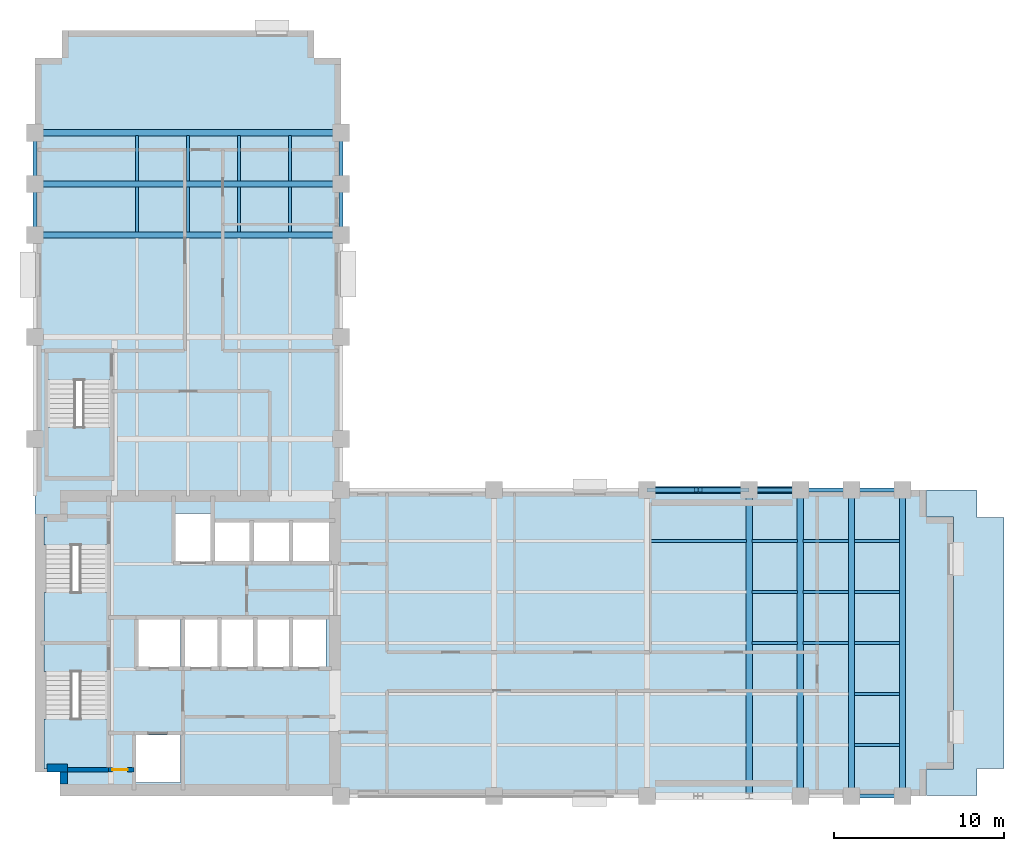
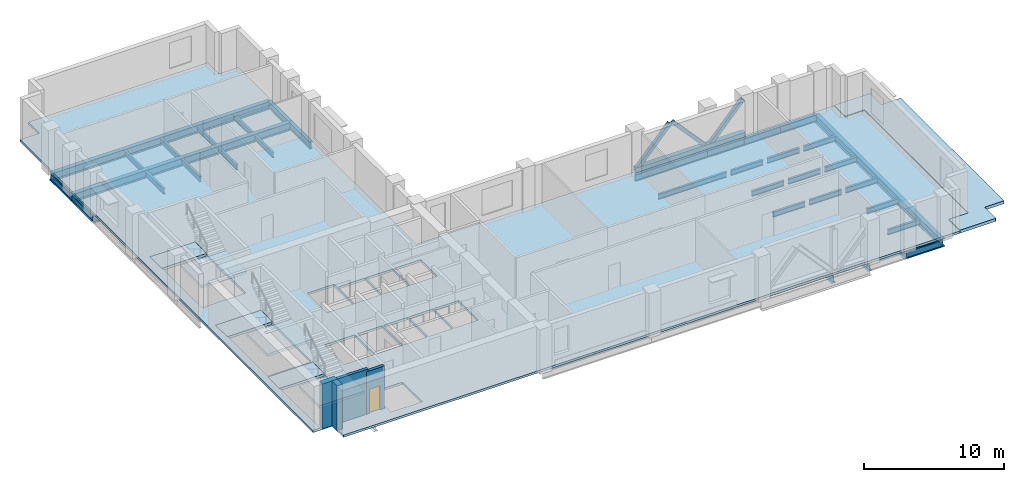
# One storey, part 2 of 7: 36 beams, 8 slabs, 4 members, 4 walls, 1 door, 1 opening, 3 elements without a shape of their own.
"""IFC4 building model written with IfcOpenShell, lengths in metres."""

from ifc_helpers import new_model, si_unit, direction, frame, frame_2d, origin, origin_2d, place, context, subcontext, project, spatial, polyline, rectangle, hollow_rectangle, i_section, outline, extrude, material, layer, layer_set, material_profile, profile_set, type_object, element, fill, aggregate, save


model = new_model("IFC4")

# Units and contexts
model_context = context("Model", 3, precision=1e-05, world=origin(), true_north=direction((0.0, 1.0)))
body_context = subcontext(model_context, "Body", "Model", "MODEL_VIEW")
ifc_project = project(units=[si_unit("LENGTHUNIT", "METRE"), si_unit("AREAUNIT", "SQUARE_METRE"), si_unit("VOLUMEUNIT", "CUBIC_METRE"), si_unit("PLANEANGLEUNIT", "RADIAN"), si_unit("MASSUNIT", "GRAM", prefix="KILO")], contexts=[model_context])

# Site, building, storey
site_placement = place(None, origin())
site = spatial("IfcSite", under=ifc_project, at=site_placement, CompositionType="ELEMENT")
building_placement = place(site_placement, origin())
building = spatial("IfcBuilding", under=site, at=building_placement, Name="Mawjdan Bourse Tower", CompositionType="ELEMENT")
storey_placement = place(building_placement, frame((0.0, 0.0, 128.39990234375)))
storey = spatial("IfcBuildingStorey", under=building, at=storey_placement, Name="L30", CompositionType="ELEMENT", Elevation=128.39990234375)

# Members
ifc_material_1 = material(Name="Structural Steel S460", Category="steel")
ifc_material_profile_1 = material_profile(ifc_material_1, hollow_rectangle(XDim=0.300048828125, YDim=0.300048828125, WallThickness=0.012451171875, at=origin_2d()), Name="HSS300X300X12.5")
ifc_profile_set_1 = profile_set([ifc_material_profile_1], Name="Structural Steel S460")
member_type_1 = type_object("IfcMemberType", Name="BRC-HSS300X300X12.5", PredefinedType="BRACE", material=ifc_profile_set_1)
for number, where, z_axis, x_axis, name in (
    (1, (42.1201171875, 21.0, 0.2001953125), (0.670969274355, 0.0, 0.741485153507), (0.0, 1.0, 0.0), "L30 East Void Portal Transfer Truss North Diagonal 1"),
    (2, (45.1201171875, 21.0, 3.25), (0.670969274355, 0.0, -0.741485153507), (0.0, 1.0, 0.0), "L30 East Void Portal Transfer Truss North Diagonal 2"),
    (3, (48.1201171875, 21.0, 0.2001953125), (0.670969274355, 0.0, 0.741485153507), (0.0, 1.0, 0.0), "L30 East Void Portal Transfer Truss North Diagonal 3"),
):
    element("IfcMember", number, at=place(storey_placement, frame(where, z_axis=z_axis, x_axis=x_axis)), inside=storey, type_object=member_type_1, Name=name, PredefinedType="BRACE", context=body_context, shape_type="SweptSolid", body=[
        extrude(hollow_rectangle(XDim=0.300048828125, YDim=0.300048828125, WallThickness=0.012451171875, at=origin_2d()), origin(), (0.0, 0.0, 1.0), 4.113037109375),
    ])
ifc_material_profile_2 = material_profile(ifc_material_1, hollow_rectangle(XDim=0.39990234375, YDim=0.39990234375, WallThickness=0.01611328125, at=origin_2d()), Name="HSS400X400X16")
ifc_profile_set_2 = profile_set([ifc_material_profile_2], Name="Structural Steel S460")
member_type_2 = type_object("IfcMemberType", Name="CHD-HSS400X400X16", PredefinedType="CHORD", material=ifc_profile_set_2)
member_placement = place(storey_placement, frame((42.0, 21.0, 0.2001953125), z_axis=(1.0, 0.0, 0.0), x_axis=(0.0, 1.0, 0.0)))
element("IfcMember", 4, at=member_placement, inside=storey, type_object=member_type_2, Name="L30 East Void Portal Transfer Truss North Bottom Chord", PredefinedType="CHORD", context=body_context, shape_type="SweptSolid", body=[
    extrude(hollow_rectangle(XDim=0.39990234375, YDim=0.39990234375, WallThickness=0.01611328125, at=origin_2d()), origin(), (0.0, 0.0, 1.0), 9.0),
])

# Beams
ifc_material_2 = material(Name="Structural Steel S355", Category="steel")
ifc_material_profile_3 = material_profile(ifc_material_2, i_section(OverallWidth=0.35498046875, OverallDepth=0.696044921875, WebThickness=0.015380859375, FlangeThickness=0.02490234375, FilletRadius=0.019775390625, at=origin_2d()), Name="W27X146")
ifc_profile_set_3 = profile_set([ifc_material_profile_3], Name="Structural Steel S355")
beam_type_1 = type_object("IfcBeamType", Name="GRD-W27X146", PredefinedType="BEAM", material=ifc_profile_set_3)
for number, where, z_axis, x_axis, name in (
    (5, (48.0, 3.0, -0.5478515625), (0.0, 1.0, 0.0), (-1.0, 0.0, 0.0), "L30 East Wing Clear-Span Girder 004"),
    (6, (51.0, 3.0, -0.5478515625), (0.0, 1.0, 0.0), (-1.0, 0.0, 0.0), "L30 East Wing Clear-Span Girder 005"),
    (7, (54.0, 3.0, -0.5478515625), (0.0, 1.0, 0.0), (-1.0, 0.0, 0.0), "L30 East Wing Clear-Span Girder 006"),
    (8, (57.0, 3.0, -0.5478515625), (0.0, 1.0, 0.0), (-1.0, 0.0, 0.0), "L30 East Wing Clear-Span Girder 007"),
    (9, (6.0, 36.0, -0.5478515625), (1.0, 0.0, 0.0), (0.0, 1.0, 0.0), "L30 North Wing Clear-Span Girder 056"),
    (10, (6.0, 39.0, -0.5478515625), (1.0, 0.0, 0.0), (0.0, 1.0, 0.0), "L30 North Wing Clear-Span Girder 057"),
    (11, (6.0, 42.0, -0.5478515625), (1.0, 0.0, 0.0), (0.0, 1.0, 0.0), "L30 North Wing Clear-Span Girder 058"),
):
    element("IfcBeam", number, at=place(storey_placement, frame(where, z_axis=z_axis, x_axis=x_axis)), inside=storey, type_object=beam_type_1, Name=name, PredefinedType="BEAM", context=body_context, shape_type="SweptSolid", body=[
        extrude(i_section(OverallWidth=0.35498046875, OverallDepth=0.696044921875, WebThickness=0.015380859375, FlangeThickness=0.02490234375, FilletRadius=0.019775390625, at=origin_2d()), origin(), (0.0, 0.0, 1.0), 18.0),
    ])
ifc_material_profile_4 = material_profile(ifc_material_2, i_section(OverallWidth=0.18994140625, OverallDepth=0.45703125, WebThickness=0.009033203125, FlangeThickness=0.014404296875, FilletRadius=0.01171875, at=origin_2d()), Name="W18X50")
ifc_profile_set_4 = profile_set([ifc_material_profile_4], Name="Structural Steel S355")
beam_type_2 = type_object("IfcBeamType", Name="JST-W18X50", PredefinedType="JOIST", material=ifc_profile_set_4)
for number, where, z_axis, x_axis, name in (
    (12, (54.175537109375, 6.0, -0.428466796875), (1.0, 0.0, 0.0), (0.0, 1.0, 0.0), "L30 East Wing Composite Joist 024"),
    (13, (54.175537109375, 9.0, -0.428466796875), (1.0, 0.0, 0.0), (0.0, 1.0, 0.0), "L30 East Wing Composite Joist 030"),
    (14, (48.175537109375, 12.0, -0.428466796875), (1.0, 0.0, 0.0), (0.0, 1.0, 0.0), "L30 East Wing Composite Joist 034"),
    (15, (51.175537109375, 12.0, -0.428466796875), (1.0, 0.0, 0.0), (0.0, 1.0, 0.0), "L30 East Wing Composite Joist 035"),
    (16, (54.175537109375, 12.0, -0.428466796875), (1.0, 0.0, 0.0), (0.0, 1.0, 0.0), "L30 East Wing Composite Joist 036"),
    (17, (48.175537109375, 15.0, -0.428466796875), (1.0, 0.0, 0.0), (0.0, 1.0, 0.0), "L30 East Wing Composite Joist 040"),
    (18, (51.175537109375, 15.0, -0.428466796875), (1.0, 0.0, 0.0), (0.0, 1.0, 0.0), "L30 East Wing Composite Joist 041"),
    (19, (54.175537109375, 15.0, -0.428466796875), (1.0, 0.0, 0.0), (0.0, 1.0, 0.0), "L30 East Wing Composite Joist 042"),
):
    element("IfcBeam", number, at=place(storey_placement, frame(where, z_axis=z_axis, x_axis=x_axis)), inside=storey, type_object=beam_type_2, Name=name, PredefinedType="JOIST", context=body_context, shape_type="SweptSolid", body=[
        extrude(i_section(OverallWidth=0.18994140625, OverallDepth=0.45703125, WebThickness=0.009033203125, FlangeThickness=0.014404296875, FilletRadius=0.01171875, at=origin_2d()), origin(), (0.0, 0.0, 1.0), 2.64892578125),
    ])
beam_1_placement = place(storey_placement, frame((42.175537109375, 18.0, -0.428466796875), z_axis=(1.0, 0.0, 0.0), x_axis=(0.0, 1.0, 0.0)))
element("IfcBeam", 20, at=beam_1_placement, inside=storey, type_object=beam_type_2, Name="L30 East Wing Composite Joist 045", PredefinedType="JOIST", context=body_context, shape_type="SweptSolid", body=[
    extrude(i_section(OverallWidth=0.18994140625, OverallDepth=0.45703125, WebThickness=0.009033203125, FlangeThickness=0.014404296875, FilletRadius=0.01171875, at=origin_2d()), origin(), (0.0, 0.0, 1.0), 5.64892578125),
])
for number, where, z_axis, x_axis, name in (
    (21, (48.175537109375, 18.0, -0.428466796875), (1.0, 0.0, 0.0), (0.0, 1.0, 0.0), "L30 East Wing Composite Joist 046"),
    (22, (51.175537109375, 18.0, -0.428466796875), (1.0, 0.0, 0.0), (0.0, 1.0, 0.0), "L30 East Wing Composite Joist 047"),
    (23, (54.175537109375, 18.0, -0.428466796875), (1.0, 0.0, 0.0), (0.0, 1.0, 0.0), "L30 East Wing Composite Joist 048"),
    (24, (12.0, 36.175537109375, -0.428466796875), (0.0, 1.0, 0.0), (-1.0, 0.0, 0.0), "L30 North Wing Composite Joist 072"),
    (25, (12.0, 39.175537109375, -0.428466796875), (0.0, 1.0, 0.0), (-1.0, 0.0, 0.0), "L30 North Wing Composite Joist 073"),
    (26, (15.0, 36.175537109375, -0.428466796875), (0.0, 1.0, 0.0), (-1.0, 0.0, 0.0), "L30 North Wing Composite Joist 077"),
    (27, (15.0, 39.175537109375, -0.428466796875), (0.0, 1.0, 0.0), (-1.0, 0.0, 0.0), "L30 North Wing Composite Joist 078"),
    (28, (18.0, 36.175537109375, -0.428466796875), (0.0, 1.0, 0.0), (-1.0, 0.0, 0.0), "L30 North Wing Composite Joist 082"),
    (29, (18.0, 39.175537109375, -0.428466796875), (0.0, 1.0, 0.0), (-1.0, 0.0, 0.0), "L30 North Wing Composite Joist 083"),
    (30, (21.0, 36.175537109375, -0.428466796875), (0.0, 1.0, 0.0), (-1.0, 0.0, 0.0), "L30 North Wing Composite Joist 087"),
    (31, (21.0, 39.175537109375, -0.428466796875), (0.0, 1.0, 0.0), (-1.0, 0.0, 0.0), "L30 North Wing Composite Joist 088"),
):
    element("IfcBeam", number, at=place(storey_placement, frame(where, z_axis=z_axis, x_axis=x_axis)), inside=storey, type_object=beam_type_2, Name=name, PredefinedType="JOIST", context=body_context, shape_type="SweptSolid", body=[
        extrude(i_section(OverallWidth=0.18994140625, OverallDepth=0.45703125, WebThickness=0.009033203125, FlangeThickness=0.014404296875, FilletRadius=0.01171875, at=origin_2d()), origin(), (0.0, 0.0, 1.0), 2.64892578125),
    ])
ifc_material_profile_5 = material_profile(ifc_material_2, i_section(OverallWidth=0.22998046875, OverallDepth=0.616943359375, WebThickness=0.01318359375, FlangeThickness=0.022216796875, FilletRadius=0.017822265625, at=origin_2d()), Name="W24X94")
ifc_profile_set_5 = profile_set([ifc_material_profile_5], Name="Structural Steel S355")
beam_type_3 = type_object("IfcBeamType", Name="SPN-W24X94", PredefinedType="SPANDREL", material=ifc_profile_set_5)
beam_2_placement = place(storey_placement, frame((54.0, 3.0, -0.50830078125), z_axis=(1.0, 0.0, 0.0), x_axis=(0.0, 1.0, 0.0)))
element("IfcBeam", 32, at=beam_2_placement, inside=storey, type_object=beam_type_3, Name="L30 Perimeter Masonry-Shelf Spandrel 012", PredefinedType="SPANDREL", context=body_context, shape_type="SweptSolid", body=[
    extrude(i_section(OverallWidth=0.22998046875, OverallDepth=0.616943359375, WebThickness=0.01318359375, FlangeThickness=0.022216796875, FilletRadius=0.017822265625, at=origin_2d()), origin(), (0.0, 0.0, 1.0), 3.0),
])
beam_3_placement = place(storey_placement, frame((42.0, 21.0, -0.50830078125), z_axis=(1.0, 0.0, 0.0), x_axis=(0.0, 1.0, 0.0)))
element("IfcBeam", 33, at=beam_3_placement, inside=storey, type_object=beam_type_3, Name="L30 Perimeter Masonry-Shelf Spandrel 015", PredefinedType="SPANDREL", context=body_context, shape_type="SweptSolid", body=[
    extrude(i_section(OverallWidth=0.22998046875, OverallDepth=0.616943359375, WebThickness=0.01318359375, FlangeThickness=0.022216796875, FilletRadius=0.017822265625, at=origin_2d()), origin(), (0.0, 0.0, 1.0), 6.0),
])
for number, where, z_axis, x_axis, name in (
    (34, (48.0, 21.0, -0.50830078125), (1.0, 0.0, 0.0), (0.0, 1.0, 0.0), "L30 Perimeter Masonry-Shelf Spandrel 016"),
    (35, (51.0, 21.0, -0.50830078125), (1.0, 0.0, 0.0), (0.0, 1.0, 0.0), "L30 Perimeter Masonry-Shelf Spandrel 017"),
    (36, (54.0, 21.0, -0.50830078125), (1.0, 0.0, 0.0), (0.0, 1.0, 0.0), "L30 Perimeter Masonry-Shelf Spandrel 018"),
    (37, (6.0, 36.0, -0.50830078125), (0.0, 1.0, 0.0), (-1.0, 0.0, 0.0), "L30 North Wing Spandrel 062"),
    (38, (6.0, 39.0, -0.50830078125), (0.0, 1.0, 0.0), (-1.0, 0.0, 0.0), "L30 North Wing Spandrel 063"),
    (39, (24.0, 36.0, -0.50830078125), (0.0, 1.0, 0.0), (-1.0, 0.0, 0.0), "L30 North Wing Spandrel 067"),
    (40, (24.0, 39.0, -0.50830078125), (0.0, 1.0, 0.0), (-1.0, 0.0, 0.0), "L30 North Wing Spandrel 068"),
):
    element("IfcBeam", number, at=place(storey_placement, frame(where, z_axis=z_axis, x_axis=x_axis)), inside=storey, type_object=beam_type_3, Name=name, PredefinedType="SPANDREL", context=body_context, shape_type="SweptSolid", body=[
        extrude(i_section(OverallWidth=0.22998046875, OverallDepth=0.616943359375, WebThickness=0.01318359375, FlangeThickness=0.022216796875, FilletRadius=0.017822265625, at=origin_2d()), origin(), (0.0, 0.0, 1.0), 3.0),
    ])

# Stair, slabs
ifc_material_3 = material(Name="Concrete C50/60", Category="concrete")
stair_type = type_object("IfcStairType", Name="STR-CORE-1500", PredefinedType="HALF_TURN_STAIR", material=ifc_material_3)
stair_1_placement = place(storey_placement, origin())
stair_1 = element("IfcStair", 41, at=stair_1_placement, inside=storey, type_object=stair_type, Name="L30 Exit Stair 1 (Core South-West)", PredefinedType="HALF_TURN_STAIR")
ifc_layer_1 = layer(ifc_material_3, 0.22998046875)
ifc_layer_set_1 = layer_set([ifc_layer_1], Name="Concrete C50/60")
slab_type_1 = type_object("IfcSlabType", Name="SL-LND-230", PredefinedType="LANDING", material=ifc_layer_set_1)
slab_1_placement = place(storey_placement, frame((0.0, 0.0, -0.22998046875)))
slab_1 = element("IfcSlab", 42, at=slab_1_placement, type_object=slab_type_1, Name="ST1-L30 landing 1", PredefinedType="LANDING", context=body_context, shape_type="SweptSolid", body=[
    extrude(outline(polyline([(6.5400390625, 10.31005859375), (10.260009765625, 10.31005859375), (10.260009765625, 11.969970703125), (6.5400390625, 11.969970703125), (6.5400390625, 10.31005859375)])), origin(), (0.0, 0.0, 1.0), 0.22998046875),
])
slab_2_placement = place(storey_placement, frame((0.0, 0.0, 1.72021484375)))
slab_2 = element("IfcSlab", 43, at=slab_2_placement, type_object=slab_type_1, Name="ST1-L30 landing 2", PredefinedType="LANDING", context=body_context, shape_type="SweptSolid", body=[
    extrude(outline(polyline([(6.5400390625, 4.590087890625), (10.260009765625, 4.590087890625), (10.260009765625, 7.5400390625), (6.5400390625, 7.5400390625), (6.5400390625, 4.590087890625)])), origin(), (0.0, 0.0, 1.0), 0.22998046875),
])
aggregate(stair_1, [slab_1, slab_2])

stair_2_placement = place(storey_placement, origin())
stair_2 = element("IfcStair", 44, at=stair_2_placement, inside=storey, type_object=stair_type, Name="L30 Exit Stair 2 (Core North-West)", PredefinedType="HALF_TURN_STAIR")
slab_3_placement = place(storey_placement, frame((0.0, 0.0, -0.22998046875)))
slab_3 = element("IfcSlab", 45, at=slab_3_placement, type_object=slab_type_1, Name="ST2-L30 landing 1", PredefinedType="LANDING", context=body_context, shape_type="SweptSolid", body=[
    extrude(outline(polyline([(6.5400390625, 17.75), (10.260009765625, 17.75), (10.260009765625, 19.409912109375), (6.5400390625, 19.409912109375), (6.5400390625, 17.75)])), origin(), (0.0, 0.0, 1.0), 0.22998046875),
])
slab_4_placement = place(storey_placement, frame((0.0, 0.0, 1.72021484375)))
slab_4 = element("IfcSlab", 46, at=slab_4_placement, type_object=slab_type_1, Name="ST2-L30 landing 2", PredefinedType="LANDING", context=body_context, shape_type="SweptSolid", body=[
    extrude(outline(polyline([(6.5400390625, 12.030029296875), (10.260009765625, 12.030029296875), (10.260009765625, 14.97998046875), (6.5400390625, 14.97998046875), (6.5400390625, 12.030029296875)])), origin(), (0.0, 0.0, 1.0), 0.22998046875),
])
aggregate(stair_2, [slab_3, slab_4])

stair_3_placement = place(storey_placement, origin())
stair_3 = element("IfcStair", 47, at=stair_3_placement, inside=storey, type_object=stair_type, Name="L30 Exit Stair 3 (North Wing)", PredefinedType="HALF_TURN_STAIR")
slab_5_placement = place(storey_placement, frame((0.0, 0.0, -0.22998046875)))
slab_5 = element("IfcSlab", 48, at=slab_5_placement, type_object=slab_type_1, Name="ST3-L30 landing 1", PredefinedType="LANDING", context=body_context, shape_type="SweptSolid", body=[
    extrude(outline(polyline([(6.739990234375, 27.4599609375), (10.4599609375, 27.4599609375), (10.4599609375, 29.1201171875), (6.739990234375, 29.1201171875), (6.739990234375, 27.4599609375)])), origin(), (0.0, 0.0, 1.0), 0.22998046875),
])
slab_6_placement = place(storey_placement, frame((0.0, 0.0, 1.72021484375)))
slab_6 = element("IfcSlab", 49, at=slab_6_placement, type_object=slab_type_1, Name="ST3-L30 landing 2", PredefinedType="LANDING", context=body_context, shape_type="SweptSolid", body=[
    extrude(outline(polyline([(6.739990234375, 21.739990234375), (10.4599609375, 21.739990234375), (10.4599609375, 24.68994140625), (6.739990234375, 24.68994140625), (6.739990234375, 21.739990234375)])), origin(), (0.0, 0.0, 1.0), 0.22998046875),
])
aggregate(stair_3, [slab_5, slab_6])

# Slabs
ifc_layer_2 = layer(ifc_material_3, 0.199951171875)
ifc_layer_set_2 = layer_set([ifc_layer_2], Name="Concrete C50/60")
slab_type_2 = type_object("IfcSlabType", Name="SL-OFC-200", PredefinedType="FLOOR", material=ifc_layer_set_2)
slab_7_placement = place(storey_placement, frame((0.0, 0.0, -0.199951171875)))
element("IfcSlab", 50, at=slab_7_placement, inside=storey, type_object=slab_type_2, Name="L30 Structural Floor Slab 1", PredefinedType="FLOOR", context=body_context, shape_type="SweptSolid", body=[
    extrude(outline(polyline([(7.60009765625, 3.0), (58.39990234375, 3.0), (58.39990234375, 4.60009765625), (60.0, 4.60009765625), (60.0, 19.39990234375), (58.39990234375, 19.39990234375), (58.39990234375, 21.0), (24.0, 21.0), (24.0, 46.39990234375), (22.39990234375, 46.39990234375), (22.39990234375, 48.0), (7.60009765625, 48.0), (7.60009765625, 46.39990234375), (6.0, 46.39990234375), (6.0, 4.60009765625), (7.60009765625, 4.60009765625), (7.60009765625, 3.0)]), holes=[polyline([(11.949951171875, 3.800048828125), (11.949951171875, 6.60009765625), (14.550048828125, 6.60009765625), (14.550048828125, 3.800048828125), (11.949951171875, 3.800048828125)]), polyline([(6.60009765625, 10.31005859375), (6.5400390625, 10.31005859375), (6.5400390625, 11.969970703125), (10.260009765625, 11.969970703125), (10.260009765625, 10.31005859375), (10.199951171875, 10.31005859375), (10.199951171875, 4.64990234375), (6.60009765625, 4.64990234375), (6.60009765625, 10.31005859375)]), polyline([(12.050048828125, 10.60009765625), (12.050048828125, 13.39990234375), (14.550048828125, 13.39990234375), (14.550048828125, 10.60009765625), (12.050048828125, 10.60009765625)]), polyline([(10.260009765625, 19.409912109375), (10.260009765625, 17.75), (10.199951171875, 17.75), (10.199951171875, 12.090087890625), (6.60009765625, 12.090087890625), (6.60009765625, 17.75), (6.5400390625, 17.75), (6.5400390625, 19.409912109375), (10.260009765625, 19.409912109375)]), polyline([(10.4599609375, 29.1201171875), (10.4599609375, 27.4599609375), (10.39990234375, 27.4599609375), (10.39990234375, 21.800048828125), (6.800048828125, 21.800048828125), (6.800048828125, 27.4599609375), (6.739990234375, 27.4599609375), (6.739990234375, 29.1201171875), (10.4599609375, 29.1201171875)]), polyline([(14.800048828125, 10.60009765625), (14.800048828125, 13.39990234375), (16.800048828125, 13.39990234375), (16.800048828125, 10.60009765625), (14.800048828125, 10.60009765625)]), polyline([(16.89990234375, 10.60009765625), (16.89990234375, 13.39990234375), (18.89990234375, 13.39990234375), (18.89990234375, 10.60009765625), (16.89990234375, 10.60009765625)]), polyline([(19.0, 10.60009765625), (19.0, 13.39990234375), (21.0, 13.39990234375), (21.0, 10.60009765625), (19.0, 10.60009765625)]), polyline([(21.10009765625, 10.60009765625), (21.10009765625, 13.39990234375), (23.10009765625, 13.39990234375), (23.10009765625, 10.60009765625), (21.10009765625, 10.60009765625)]), polyline([(16.5, 16.800048828125), (16.5, 19.14990234375), (18.699951171875, 19.14990234375), (18.699951171875, 16.800048828125), (16.5, 16.800048828125)]), polyline([(18.800048828125, 16.800048828125), (18.800048828125, 19.14990234375), (21.0, 19.14990234375), (21.0, 16.800048828125), (18.800048828125, 16.800048828125)]), polyline([(21.10009765625, 16.800048828125), (21.10009765625, 19.14990234375), (23.300048828125, 19.14990234375), (23.300048828125, 16.800048828125), (21.10009765625, 16.800048828125)]), polyline([(14.199951171875, 16.800048828125), (14.199951171875, 19.60009765625), (16.39990234375, 19.60009765625), (16.39990234375, 16.800048828125), (14.199951171875, 16.800048828125)])]), origin(), (0.0, 0.0, 1.0), 0.199951171875),
])
ifc_layer_3 = layer(ifc_material_3, 0.260009765625)
ifc_layer_set_3 = layer_set([ifc_layer_3], Name="Concrete C50/60")
slab_type_3 = type_object("IfcSlabType", Name="SL-ROOF-260", PredefinedType="ROOF", material=ifc_layer_set_3)
slab_8_placement = place(storey_placement, frame((0.0, 0.0, -0.2109375)))
element("IfcSlab", 51, at=slab_8_placement, inside=storey, type_object=slab_type_3, Name="L30 Setback Weather Roof 1", PredefinedType="ROOF", context=body_context, shape_type="SweptSolid", body=[
    extrude(outline(polyline([(58.429931640625, 20.97998046875), (58.427978515625, 20.97998046875), (58.426025390625, 20.9794921875), (58.42431640625, 20.97900390625), (58.42236328125, 20.978515625), (58.420654296875, 20.9775390625), (58.4189453125, 20.9765625), (58.417236328125, 20.9755859375), (58.416015625, 20.97412109375), (58.41455078125, 20.97265625), (58.413330078125, 20.97119140625), (58.412353515625, 20.969482421875), (58.41162109375, 20.9677734375), (58.410888671875, 20.9658203125), (58.410400390625, 20.9638671875), (58.41015625, 20.9619140625), (58.409912109375, 20.9599609375), (58.409912109375, 19.429931640625), (58.41015625, 19.427978515625), (58.410400390625, 19.426025390625), (58.410888671875, 19.42431640625), (58.41162109375, 19.42236328125), (58.412353515625, 19.420654296875), (58.413330078125, 19.4189453125), (58.41455078125, 19.417236328125), (58.416015625, 19.416015625), (58.417236328125, 19.41455078125), (58.4189453125, 19.413330078125), (58.420654296875, 19.412353515625), (58.42236328125, 19.41162109375), (58.42431640625, 19.410888671875), (58.426025390625, 19.410400390625), (58.427978515625, 19.41015625), (58.429931640625, 19.409912109375), (59.999755859375, 19.409912109375), (60.000244140625, 19.409912109375), (60.00048828125, 19.409912109375), (60.00146484375, 19.409912109375), (60.00244140625, 19.40966796875), (60.00341796875, 19.409423828125), (60.00439453125, 19.408935546875), (60.005126953125, 19.40869140625), (60.005859375, 19.407958984375), (60.006591796875, 19.407470703125), (60.00732421875, 19.40673828125), (60.008056640625, 19.406005859375), (60.008544921875, 19.405029296875), (60.009033203125, 19.404296875), (60.009521484375, 19.4033203125), (60.009765625, 19.40234375), (60.010009765625, 19.401611328125), (60.010009765625, 19.400390625), (60.010009765625, 19.400146484375), (60.010009765625, 19.39990234375), (60.010009765625, 4.60009765625), (60.010009765625, 4.599853515625), (60.010009765625, 4.599609375), (60.010009765625, 4.598388671875), (60.009765625, 4.59765625), (60.009521484375, 4.5966796875), (60.009033203125, 4.595703125), (60.008544921875, 4.594970703125), (60.008056640625, 4.593994140625), (60.00732421875, 4.59326171875), (60.006591796875, 4.592529296875), (60.006103515625, 4.592041015625), (60.005126953125, 4.59130859375), (60.00439453125, 4.591064453125), (60.00341796875, 4.590576171875), (60.00244140625, 4.59033203125), (60.00146484375, 4.590087890625), (60.00048828125, 4.590087890625), (60.000244140625, 4.590087890625), (59.999755859375, 4.590087890625), (58.429931640625, 4.590087890625), (58.427978515625, 4.58984375), (58.426025390625, 4.589599609375), (58.42431640625, 4.589111328125), (58.42236328125, 4.58837890625), (58.420654296875, 4.587646484375), (58.4189453125, 4.586669921875), (58.417236328125, 4.58544921875), (58.416015625, 4.583984375), (58.41455078125, 4.582763671875), (58.413330078125, 4.5810546875), (58.412353515625, 4.579345703125), (58.41162109375, 4.57763671875), (58.410888671875, 4.57568359375), (58.410400390625, 4.573974609375), (58.41015625, 4.572021484375), (58.409912109375, 4.570068359375), (58.409912109375, 3.0400390625), (58.41015625, 3.0380859375), (58.410400390625, 3.0361328125), (58.410888671875, 3.0341796875), (58.41162109375, 3.0322265625), (58.412353515625, 3.030517578125), (58.413330078125, 3.02880859375), (58.41455078125, 3.02734375), (58.416015625, 3.02587890625), (58.417236328125, 3.0244140625), (58.4189453125, 3.0234375), (58.420654296875, 3.0224609375), (58.42236328125, 3.021484375), (58.42431640625, 3.02099609375), (58.426025390625, 3.0205078125), (58.427978515625, 3.02001953125), (58.429931640625, 3.02001953125), (61.360107421875, 3.02001953125), (61.362060546875, 3.02001953125), (61.364013671875, 3.0205078125), (61.36572265625, 3.02099609375), (61.36767578125, 3.021484375), (61.369384765625, 3.0224609375), (61.37109375, 3.0234375), (61.372802734375, 3.0244140625), (61.3740234375, 3.02587890625), (61.37548828125, 3.02734375), (61.376708984375, 3.02880859375), (61.377685546875, 3.030517578125), (61.37841796875, 3.0322265625), (61.379150390625, 3.0341796875), (61.379638671875, 3.0361328125), (61.3798828125, 3.0380859375), (61.3798828125, 3.0400390625), (61.3798828125, 4.599853515625), (61.3798828125, 4.60009765625), (61.380126953125, 4.6015625), (61.380126953125, 4.602294921875), (61.38037109375, 4.603515625), (61.380615234375, 4.6044921875), (61.380615234375, 4.605224609375), (61.381103515625, 4.606201171875), (61.38134765625, 4.607177734375), (61.381591796875, 4.608154296875), (61.382080078125, 4.60888671875), (61.382568359375, 4.60986328125), (61.383056640625, 4.610595703125), (61.3837890625, 4.611572265625), (61.38427734375, 4.6123046875), (61.385009765625, 4.613037109375), (61.385498046875, 4.61376953125), (61.38623046875, 4.614501953125), (61.386962890625, 4.614990234375), (61.3876953125, 4.61572265625), (61.388427734375, 4.6162109375), (61.389404296875, 4.616943359375), (61.39013671875, 4.617431640625), (61.39111328125, 4.617919921875), (61.391845703125, 4.618408203125), (61.392822265625, 4.61865234375), (61.393798828125, 4.618896484375), (61.394775390625, 4.619384765625), (61.3955078125, 4.619384765625), (61.396484375, 4.61962890625), (61.397705078125, 4.619873046875), (61.3984375, 4.619873046875), (61.39990234375, 4.6201171875), (61.400146484375, 4.6201171875), (62.9599609375, 4.6201171875), (62.9619140625, 4.6201171875), (62.9638671875, 4.620361328125), (62.9658203125, 4.620849609375), (62.9677734375, 4.62158203125), (62.969482421875, 4.622314453125), (62.97119140625, 4.623291015625), (62.97265625, 4.62451171875), (62.97412109375, 4.6259765625), (62.9755859375, 4.627197265625), (62.9765625, 4.62890625), (62.9775390625, 4.630615234375), (62.978515625, 4.63232421875), (62.97900390625, 4.63427734375), (62.9794921875, 4.635986328125), (62.97998046875, 4.637939453125), (62.97998046875, 4.639892578125), (62.97998046875, 19.360107421875), (62.97998046875, 19.362060546875), (62.9794921875, 19.364013671875), (62.97900390625, 19.36572265625), (62.978515625, 19.36767578125), (62.9775390625, 19.369384765625), (62.9765625, 19.37109375), (62.9755859375, 19.372802734375), (62.97412109375, 19.3740234375), (62.97265625, 19.37548828125), (62.97119140625, 19.376708984375), (62.969482421875, 19.377685546875), (62.9677734375, 19.37841796875), (62.9658203125, 19.379150390625), (62.9638671875, 19.379638671875), (62.9619140625, 19.3798828125), (62.9599609375, 19.3798828125), (61.400146484375, 19.3798828125), (61.39990234375, 19.3798828125), (61.3984375, 19.380126953125), (61.397705078125, 19.380126953125), (61.396484375, 19.38037109375), (61.3955078125, 19.380615234375), (61.394775390625, 19.380615234375), (61.393798828125, 19.381103515625), (61.392822265625, 19.38134765625), (61.391845703125, 19.381591796875), (61.39111328125, 19.382080078125), (61.39013671875, 19.382568359375), (61.389404296875, 19.383056640625), (61.388427734375, 19.3837890625), (61.3876953125, 19.38427734375), (61.386962890625, 19.385009765625), (61.38623046875, 19.385498046875), (61.385498046875, 19.38623046875), (61.385009765625, 19.386962890625), (61.38427734375, 19.3876953125), (61.3837890625, 19.388427734375), (61.383056640625, 19.389404296875), (61.382568359375, 19.39013671875), (61.382080078125, 19.39111328125), (61.381591796875, 19.391845703125), (61.38134765625, 19.392822265625), (61.381103515625, 19.393798828125), (61.380615234375, 19.394775390625), (61.380615234375, 19.3955078125), (61.38037109375, 19.396484375), (61.380126953125, 19.397705078125), (61.380126953125, 19.3984375), (61.3798828125, 19.39990234375), (61.3798828125, 19.400146484375), (61.3798828125, 20.9599609375), (61.3798828125, 20.9619140625), (61.379638671875, 20.9638671875), (61.379150390625, 20.9658203125), (61.37841796875, 20.9677734375), (61.377685546875, 20.969482421875), (61.376708984375, 20.97119140625), (61.37548828125, 20.97265625), (61.3740234375, 20.97412109375), (61.372802734375, 20.9755859375), (61.37109375, 20.9765625), (61.369384765625, 20.9775390625), (61.36767578125, 20.978515625), (61.36572265625, 20.97900390625), (61.364013671875, 20.9794921875), (61.362060546875, 20.97998046875), (61.360107421875, 20.97998046875), (58.429931640625, 20.97998046875)])), origin(), (0.0, 0.0, 1.0), 0.260009765625),
])

# Walls
ifc_material_4 = material(Name="Concrete C60/75", Category="concrete")
ifc_layer_4 = layer(ifc_material_4, 0.449951171875)
ifc_layer_set_4 = layer_set([ifc_layer_4], Name="Concrete C60/75")
wall_type_1 = type_object("IfcWallType", Name="WL-CORE-450", PredefinedType="SHEAR", material=ifc_layer_set_4)
wall_1_placement = place(storey_placement, frame((6.699951171875, 4.64990234375, 0.0), z_axis=(0.0, 0.0, 1.0), x_axis=(1.0, 0.0, 0.0)))
element("IfcWall", 52, at=wall_1_placement, inside=storey, type_object=wall_type_1, Name="L30 Rear Core Shear Wall SW-X", PredefinedType="SHEAR", context=body_context, shape_type="SweptSolid", body=[
    extrude(rectangle(XDim=1.22509765625, YDim=0.449951171875, at=frame_2d((0.612548828125, 0.0))), origin(), (0.0, 0.0, 1.0), 3.900146484375),
])
wall_2_placement = place(storey_placement, frame((7.699951171875, 3.699951171875, 0.0), z_axis=(0.0, 0.0, 1.0), x_axis=(0.0, 1.0, 0.0)))
element("IfcWall", 53, at=wall_2_placement, inside=storey, type_object=wall_type_1, Name="L30 Rear Core Shear Wall SW-Y", PredefinedType="SHEAR", context=body_context, shape_type="SweptSolid", body=[
    extrude(rectangle(XDim=0.72509765625, YDim=0.449951171875, at=frame_2d((0.362548828125, 0.0))), origin(), (0.0, 0.0, 1.0), 3.900146484375),
])

# Wall, opening, door
ifc_layer_5 = layer(ifc_material_3, 0.25)
ifc_layer_set_5 = layer_set([ifc_layer_5], Name="Concrete C50/60")
wall_type_2 = type_object("IfcWallType", Name="WL-SHFT-250", PredefinedType="PARTITIONING", material=ifc_layer_set_5)
wall_3_placement = place(storey_placement, frame((10.330078125, 4.550048828125, 0.0), z_axis=(0.0, 0.0, 1.0), x_axis=(1.0, 0.0, 0.0)))
wall_3 = element("IfcWall", 54, at=wall_3_placement, inside=storey, type_object=wall_type_2, Name="L30 SW Riser North Wall", PredefinedType="PARTITIONING", context=body_context, shape_type="SweptSolid", body=[
    extrude(rectangle(XDim=1.489990234375, YDim=0.25, at=frame_2d((0.7451171875, 0.0))), origin(), (0.0, 0.0, 1.0), 3.690185546875),
])
opening_placement = place(wall_3_placement, frame((0.219970703125, 0.0, 0.0)))
opening = element("IfcOpeningElement", 55, at=opening_placement, cuts=wall_3, Name="Opening RD-L30-03", PredefinedType="OPENING", context=body_context, shape_type="SweptSolid", body=[
    extrude(rectangle(XDim=0.89990234375, YDim=2.10009765625, at=frame_2d((0.449951171875, 1.050048828125))), frame((0.0, 0.135009765625, 0.0), z_axis=(0.0, -1.0, 0.0), x_axis=(1.0, 0.0, 0.0)), (0.0, 0.0, 1.0), 0.27001953125),
])
ifc_material_5 = material(Name="Fire-Rated Steel Access Leaf", Category="steel")
door_type = type_object("IfcDoorType", Name="FD-RSR-0900", OperationType="NOTDEFINED", PredefinedType="TRAPDOOR", material=ifc_material_5)
door_placement = place(opening_placement, origin())
door = element("IfcDoor", 56, at=door_placement, inside=storey, type_object=door_type, Name="L30 Electrical Riser Access Door RD-L30-03", OperationType="SINGLE_SWING_LEFT", OverallHeight=2.10009765625, OverallWidth=0.89990234375, PredefinedType="TRAPDOOR", context=body_context, shape_type="SweptSolid", body=[
    extrude(rectangle(XDim=0.89990234375, YDim=2.10009765625, at=frame_2d((0.449951171875, 1.050048828125))), frame((0.0, 0.02490234375, 0.0), z_axis=(0.0, -1.0, 0.0), x_axis=(1.0, 0.0, 0.0)), (0.0, 0.0, 1.0), 0.050048828125),
])
fill(opening, door)

# Wall
ifc_layer_6 = layer(ifc_material_3, 0.25)
ifc_layer_set_6 = layer_set([ifc_layer_6], Name="Concrete C50/60")
wall_type_3 = type_object("IfcWallType", Name="WL-STRW-250", PredefinedType="SHEAR", material=ifc_layer_set_6)
wall_4_placement = place(storey_placement, frame((7.699951171875, 4.550048828125, 0.0), z_axis=(0.0, 0.0, 1.0), x_axis=(1.0, 0.0, 0.0)))
element("IfcWall", 57, at=wall_4_placement, inside=storey, type_object=wall_type_3, Name="L30 Stairwell ST1 South Shaft Wall", PredefinedType="SHEAR", context=body_context, shape_type="SweptSolid", body=[
    extrude(rectangle(XDim=2.755126953125, YDim=0.25, at=frame_2d((1.37744140625, 0.0))), origin(), (0.0, 0.0, 1.0), 3.900146484375),
])

save(model, "model.ifc")
